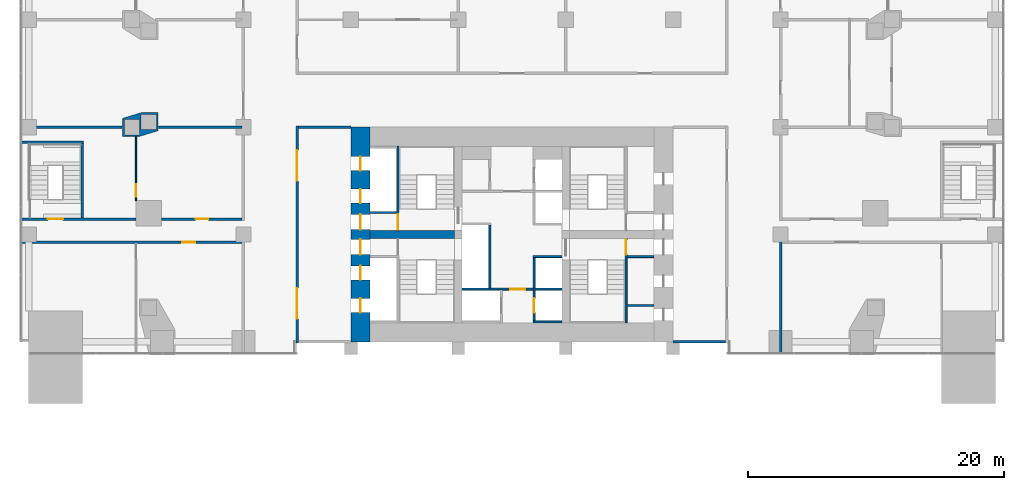
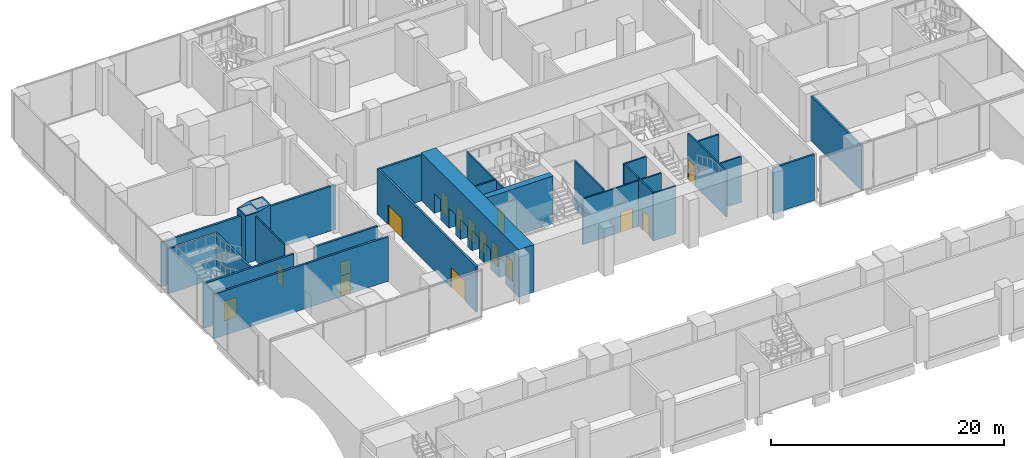
# One storey, part 17 of 28: 26 walls, 16 doors, 16 openings.
"""IFC4 building model written with IfcOpenShell, lengths in metres."""

import ifcopenshell
import ifcopenshell.guid

model = None  # the IFC model being written
_history = None  # IfcOwnerHistory: only IFC2X3 demands one
_inside = {}  # id of a spatial element -> (the spatial element, [elements in it])
_under = {}  # id of a project, library or spatial element -> (it, [spatial elements below it])
_declared = {}  # id of a project -> (the project, [libraries it declares])
_typed = {}  # id of a type object -> (the type object, [elements of that type])
_made_of = {}  # id of a material, layer set ... -> (it, [elements and type objects made of it])


def new_model(schema):
    """Start an empty IFC model of exactly this schema.

    Asked for "IFC4X3", IfcOpenShell would pick the latest addendum, in which some entities
    have other attributes; the version numbers below select the first issue.
    IFC2X3 requires an IfcOwnerHistory on every rooted entity: one is made here for all.
    """
    global model, _history
    if schema == "IFC4X3":
        model = ifcopenshell.file(schema_version=(4, 3, 0, 0))
    else:
        model = ifcopenshell.file(schema=schema)
    _inside.clear()
    _under.clear()
    _declared.clear()
    _typed.clear()
    _made_of.clear()
    _history = None
    if model.schema == "IFC2X3":
        org = make("IfcOrganization", Name="unknown")
        user = make(
            "IfcPersonAndOrganization",
            ThePerson=make("IfcPerson", FamilyName="unknown"),
            TheOrganization=org,
        )
        app = make(
            "IfcApplication",
            ApplicationDeveloper=org,
            Version="unknown",
            ApplicationFullName="unknown",
            ApplicationIdentifier="unknown",
        )
        _history = make(
            "IfcOwnerHistory",
            OwningUser=user,
            OwningApplication=app,
            ChangeAction="ADDED",
            CreationDate=0,
        )
    return model


def make(cls, **values):
    """One entity of the class cls with the attributes given. An attribute that is None is left unset."""
    return model.create_entity(
        cls, **{name: value for name, value in values.items() if value is not None}
    )


def rooted(cls, **values):
    """An entity with a GlobalId (a new one), such as an element, a storey or a relation."""
    return make(cls, GlobalId=ifcopenshell.guid.new(), OwnerHistory=_history, **values)


def si_unit(unit_type, name, prefix=None):
    """IfcSIUnit, for example si_unit("LENGTHUNIT", "METRE", prefix="MILLI")."""
    return make("IfcSIUnit", UnitType=unit_type, Prefix=prefix, Name=name)


def assignment(units):
    """IfcUnitAssignment: the units of a project."""
    return None if units is None else make("IfcUnitAssignment", Units=units)


def point(xyz):
    """IfcCartesianPoint."""
    return None if xyz is None else make("IfcCartesianPoint", Coordinates=xyz)


def direction(xyz):
    """IfcDirection."""
    return None if xyz is None else make("IfcDirection", DirectionRatios=xyz)


def frame(location, z_axis=None, x_axis=None):
    """IfcAxis2Placement3D, a coordinate frame: its origin and axes. An axis left out is left unset."""
    return make(
        "IfcAxis2Placement3D",
        Location=point(location),
        Axis=direction(z_axis),
        RefDirection=direction(x_axis),
    )


def frame_2d(location, x_axis=None):
    """IfcAxis2Placement2D, a coordinate frame in the plane: its origin and x axis."""
    return make(
        "IfcAxis2Placement2D", Location=point(location), RefDirection=direction(x_axis)
    )


def origin():
    """The frame at (0, 0, 0) with its axes left unset."""
    return frame((0.0, 0.0, 0.0))


def place(relative_to, where):
    """IfcLocalPlacement: puts the frame where relative to a parent placement (None: the world)."""
    return make(
        "IfcLocalPlacement", PlacementRelTo=relative_to, RelativePlacement=where
    )


def context(
    kind, dimensions, precision=None, world=None, true_north=None, identifier=None
):
    """IfcGeometricRepresentationContext, for example the 3D "Model" context."""
    return make(
        "IfcGeometricRepresentationContext",
        ContextIdentifier=identifier,
        ContextType=kind,
        CoordinateSpaceDimension=dimensions,
        Precision=precision,
        WorldCoordinateSystem=world,
        TrueNorth=true_north,
    )


def subcontext(parent, identifier, kind, view, scale=None):
    """IfcGeometricRepresentationSubContext, for example "Body" below "Model"."""
    return make(
        "IfcGeometricRepresentationSubContext",
        ContextIdentifier=identifier,
        ContextType=kind,
        ParentContext=parent,
        TargetScale=scale,
        TargetView=view,
    )


def project(units=None, contexts=None):
    """IfcProject with its units and contexts."""
    return rooted(
        "IfcProject",
        Name="project",
        RepresentationContexts=contexts,
        UnitsInContext=assignment(units),
    )


def spatial(cls, under=None, at=None, **own):
    """A site, building, storey or space (cls), placed at a placement, below another one or the project."""
    s = rooted(cls, ObjectPlacement=at, **own)
    if under is not None:
        _under.setdefault(under.id(), (under, []))[1].append(s)
    return s


def polyline(points):
    """IfcPolyline through the points."""
    return make("IfcPolyline", Points=[point(p) for p in points])


def profile(cls, at=None, kind="AREA", **sizes):
    """A parametric profile (cls). Its sizes go by their IFC names, for example OverallWidth=200.0."""
    return make(cls, ProfileType=kind, Position=at, **sizes)


def rectangle(**sizes):
    """IfcRectangleProfileDef."""
    return profile("IfcRectangleProfileDef", **sizes)


def outline(outer, holes=None, kind="AREA"):
    """IfcArbitraryClosedProfileDef: a profile drawn as a closed curve; with holes, ...WithVoids."""
    if holes is None:
        return make("IfcArbitraryClosedProfileDef", ProfileType=kind, OuterCurve=outer)
    return make(
        "IfcArbitraryProfileDefWithVoids",
        ProfileType=kind,
        OuterCurve=outer,
        InnerCurves=holes,
    )


def extrude(swept, where, along, depth):
    """IfcExtrudedAreaSolid: the profile swept, set in the frame where, extruded along a direction by depth."""
    return make(
        "IfcExtrudedAreaSolid",
        SweptArea=swept,
        Position=where,
        ExtrudedDirection=direction(along),
        Depth=depth,
    )


def shape(context_of_items, identifier, shape_type, items):
    """IfcShapeRepresentation: the items that make up one representation, for example the "Body"."""
    return make(
        "IfcShapeRepresentation",
        ContextOfItems=context_of_items,
        RepresentationIdentifier=identifier,
        RepresentationType=shape_type,
        Items=items,
    )


def material(Name=None, Category=None):
    """IfcMaterial."""
    return make("IfcMaterial", Name=Name, Category=Category)


def layer(
    of_material, thickness, ventilated=None, Name=None, Category=None, Priority=None
):
    """IfcMaterialLayer: one layer of a wall or slab, of a material (None: an air gap)."""
    return make(
        "IfcMaterialLayer",
        Material=of_material,
        LayerThickness=thickness,
        IsVentilated=ventilated,
        Name=Name,
        Category=Category,
        Priority=Priority,
    )


def layer_set(layers, Name=None):
    """IfcMaterialLayerSet."""
    return make("IfcMaterialLayerSet", MaterialLayers=layers, LayerSetName=Name)


def made_of(thing, what):
    """Note that an element or type object is made of a material, layer set ...; save() writes the relation."""
    if what is not None:
        _made_of.setdefault(what.id(), (what, []))[1].append(thing)
    return thing


def type_object(cls, material=None, **own):
    """A type object (cls), such as IfcWallType, which elements share."""
    return made_of(rooted(cls, **own), material)


def element(
    cls,
    number,
    at=None,
    inside=None,
    cuts=None,
    type_object=None,
    material=None,
    context=None,
    identifier="Body",
    shape_type=None,
    held_by="IfcProductDefinitionShape",
    body=None,
    shapes=None,
    **own,
):
    """One element of the class cls, such as IfcWall. Its Tag is "e" and its number.

    at: its placement. inside: the storey or other place that contains it. cuts: it is an
    opening in that element (IfcRelVoidsElement). A single representation is given by context,
    identifier, shape_type and body (its items); several are given by shapes. held_by: the class
    of the entity that holds the representations. save() writes the other relations.
    """
    e = rooted(cls, Tag="e%d" % number, ObjectPlacement=at, **own)
    if body is not None:
        shapes = [shape(context, identifier, shape_type, body)]
    if shapes is not None:
        e.Representation = make(held_by, Representations=shapes)
    if inside is not None:
        _inside.setdefault(inside.id(), (inside, []))[1].append(e)
    if cuts is not None:
        rooted(
            "IfcRelVoidsElement", RelatingBuildingElement=cuts, RelatedOpeningElement=e
        )
    if type_object is not None:
        _typed.setdefault(type_object.id(), (type_object, []))[1].append(e)
    return made_of(e, material)


def fill(opening, filler):
    """IfcRelFillsElement: the door or window that sits in an opening."""
    return rooted(
        "IfcRelFillsElement",
        RelatingOpeningElement=opening,
        RelatedBuildingElement=filler,
    )


def aggregate(whole, parts):
    """IfcRelAggregates: a whole, such as a stair, and the parts it consists of."""
    return rooted("IfcRelAggregates", RelatingObject=whole, RelatedObjects=parts)


def save(model, path):
    """Write the relations noted so far, then the file.

    IfcRelAggregates (storeys below a building ...), IfcRelContainedInSpatialStructure (elements
    in a storey), IfcRelDefinesByType, IfcRelAssociatesMaterial and IfcRelDeclares: one each for
    every whole, place, type object, material and project.
    """
    for whole, parts in _under.values():
        aggregate(whole, parts)
    for where, things in _inside.values():
        rooted(
            "IfcRelContainedInSpatialStructure",
            RelatedElements=things,
            RelatingStructure=where,
        )
    for kind, things in _typed.values():
        rooted("IfcRelDefinesByType", RelatedObjects=things, RelatingType=kind)
    for what, things in _made_of.values():
        rooted("IfcRelAssociatesMaterial", RelatedObjects=things, RelatingMaterial=what)
    for by, libraries in _declared.values():
        rooted("IfcRelDeclares", RelatingContext=by, RelatedDefinitions=libraries)
    model.write(path)


model = new_model("IFC4")

# Units and contexts
model_context = context("Model", 3, precision=1e-05, world=origin(), true_north=direction((0.0, 1.0)))
body_context = subcontext(model_context, "Body", "Model", "MODEL_VIEW")
ifc_project = project(units=[si_unit("LENGTHUNIT", "METRE"), si_unit("AREAUNIT", "SQUARE_METRE"), si_unit("VOLUMEUNIT", "CUBIC_METRE"), si_unit("PLANEANGLEUNIT", "RADIAN"), si_unit("MASSUNIT", "GRAM", prefix="KILO")], contexts=[model_context])

# Site, building, storey
site_placement = place(None, origin())
site = spatial("IfcSite", under=ifc_project, at=site_placement, CompositionType="ELEMENT")
building_placement = place(site_placement, origin())
building = spatial("IfcBuilding", under=site, at=building_placement, Name="Marenta Gate Hotel Tower", CompositionType="ELEMENT")
storey_placement = place(building_placement, frame((0.0, 0.0, 26.0)))
storey = spatial("IfcBuildingStorey", under=building, at=storey_placement, Name="L04", CompositionType="ELEMENT", Elevation=26.0)

# Wall, openings, doors
ifc_material_1 = material(Name="Concrete blockwork", Category="masonry")
ifc_layer_1 = layer(ifc_material_1, 0.199951171875)
ifc_layer_set_1 = layer_set([ifc_layer_1], Name="Concrete blockwork")
wall_type_1 = type_object("IfcWallType", Name="Core boundary wall 200 REI 180", PredefinedType="PARTITIONING", material=ifc_layer_set_1)
wall_1_placement = place(storey_placement, frame((-16.800048828125, -0.10009765625, 0.0), z_axis=(0.0, 0.0, 1.0), x_axis=(0.0, 1.0, 0.0)))
wall_1 = element("IfcWall", 1, at=wall_1_placement, inside=storey, type_object=wall_type_1, Name="L04-CP-BW-W", PredefinedType="PARTITIONING", context=body_context, shape_type="SweptSolid", body=[
    extrude(rectangle(XDim=17.0, YDim=0.199951171875, at=frame_2d((8.5, 0.0))), origin(), (0.0, 0.0, 1.0), 4.800048828125),
])
opening_1_placement = place(wall_1_placement, frame((1.89990234375, 0.0, 0.0)))
opening_1 = element("IfcOpeningElement", 2, at=opening_1_placement, cuts=wall_1, Name="Opening ED-Wa-A", PredefinedType="OPENING", context=body_context, shape_type="SweptSolid", body=[
    extrude(rectangle(XDim=2.39990234375, YDim=2.10009765625, at=frame_2d((1.199951171875, 1.050048828125))), frame((0.0, 0.10009765625, 0.0), z_axis=(0.0, -1.0, 0.0), x_axis=(1.0, 0.0, 0.0)), (0.0, 0.0, 1.0), 0.199951171875),
])
opening_2_placement = place(wall_1_placement, frame((12.699951171875, 0.0, 0.0)))
opening_2 = element("IfcOpeningElement", 3, at=opening_2_placement, cuts=wall_1, Name="Opening ED-Wb-A", PredefinedType="OPENING", context=body_context, shape_type="SweptSolid", body=[
    extrude(rectangle(XDim=2.39990234375, YDim=2.10009765625, at=frame_2d((1.199951171875, 1.050048828125))), frame((0.0, 0.10009765625, 0.0), z_axis=(0.0, -1.0, 0.0), x_axis=(1.0, 0.0, 0.0)), (0.0, 0.0, 1.0), 0.199951171875),
])
ifc_material_2 = material(Name="Steel", Category="steel")
door_type_1 = type_object("IfcDoorType", Name="Core lobby entrance door 2400x2100 EI 60", OperationType="DOUBLE_DOOR_SINGLE_SWING", PredefinedType="DOOR", material=ifc_material_2)
door_1_placement = place(opening_1_placement, origin())
door_1 = element("IfcDoor", 4, at=door_1_placement, inside=storey, type_object=door_type_1, Name="ED-Wa-A", OperationType="DOUBLE_DOOR_SINGLE_SWING", OverallHeight=2.10009765625, OverallWidth=2.39990234375, PredefinedType="DOOR", context=body_context, shape_type="SweptSolid", body=[
    extrude(rectangle(XDim=2.39990234375, YDim=2.10009765625, at=frame_2d((1.199951171875, 1.050048828125))), frame((0.0, 0.02490234375, 0.0), z_axis=(0.0, -1.0, 0.0), x_axis=(1.0, 0.0, 0.0)), (0.0, 0.0, 1.0), 0.050048828125),
])
fill(opening_1, door_1)
door_2_placement = place(opening_2_placement, origin())
door_2 = element("IfcDoor", 5, at=door_2_placement, inside=storey, type_object=door_type_1, Name="ED-Wb-A", OperationType="DOUBLE_DOOR_SINGLE_SWING", OverallHeight=2.10009765625, OverallWidth=2.39990234375, PredefinedType="DOOR", context=body_context, shape_type="SweptSolid", body=[
    extrude(rectangle(XDim=2.39990234375, YDim=2.10009765625, at=frame_2d((1.199951171875, 1.050048828125))), frame((0.0, 0.02490234375, 0.0), z_axis=(0.0, -1.0, 0.0), x_axis=(1.0, 0.0, 0.0)), (0.0, 0.0, 1.0), 0.050048828125),
])
fill(opening_2, door_2)

# Walls
for number, where, z_axis, x_axis, name in (
    (6, (-16.699951171875, 16.800048828125, 0.0), (0.0, 0.0, 1.0), (1.0, 0.0, 0.0), "L04-CP-EW-WN"),
    (7, (12.60009765625, 0.0, 0.0), (0.0, 0.0, 1.0), (1.0, 0.0, 0.0), "L04-CP-EW-ES"),
):
    element("IfcWall", number, at=place(storey_placement, frame(where, z_axis=z_axis, x_axis=x_axis)), inside=storey, type_object=wall_type_1, Name=name, PredefinedType="PARTITIONING", context=body_context, shape_type="SweptSolid", body=[
        extrude(rectangle(XDim=4.099853515625, YDim=0.199951171875, at=frame_2d((2.0498046875, 0.0))), origin(), (0.0, 0.0, 1.0), 4.800048828125),
    ])

# Wall, opening, door
ifc_material_3 = material(Name="Concrete blockwork", Category="masonry")
ifc_layer_2 = layer(ifc_material_3, 0.14990234375)
ifc_layer_set_2 = layer_set([ifc_layer_2], Name="Concrete blockwork")
wall_type_2 = type_object("IfcWallType", Name="Core lobby partition 150 REI 180", PredefinedType="PARTITIONING", material=ifc_layer_set_2)
wall_2_placement = place(storey_placement, frame((-3.89990234375, 4.125, 0.0), z_axis=(0.0, 0.0, 1.0), x_axis=(1.0, 0.0, 0.0)))
wall_2 = element("IfcWall", 8, at=wall_2_placement, inside=storey, type_object=wall_type_2, Name="L04-CP-CW-S", PredefinedType="PARTITIONING", context=body_context, shape_type="SweptSolid", body=[
    extrude(rectangle(XDim=7.7998046875, YDim=0.14990234375, at=frame_2d((3.89990234375, 0.0))), origin(), (0.0, 0.0, 1.0), 4.800048828125),
])
opening_3_placement = place(wall_2_placement, frame((3.75, 0.0, 0.0)))
opening_3 = element("IfcOpeningElement", 9, at=opening_3_placement, cuts=wall_2, Name="Opening FD-FFS", PredefinedType="OPENING", context=body_context, shape_type="SweptSolid", body=[
    extrude(rectangle(XDim=1.199951171875, YDim=2.10009765625, at=frame_2d((0.60009765625, 1.050048828125))), frame((0.0, 0.074951171875, 0.0), z_axis=(0.0, -1.0, 0.0), x_axis=(1.0, 0.0, 0.0)), (0.0, 0.0, 1.0), 0.14990234375),
])
ifc_material_4 = material(Name="Steel", Category="steel")
door_type_2 = type_object("IfcDoorType", Name="Core lobby door 1200x2100 FD60", OperationType="SINGLE_SWING_LEFT", PredefinedType="DOOR", material=ifc_material_4)
door_3_placement = place(opening_3_placement, origin())
door_3 = element("IfcDoor", 10, at=door_3_placement, inside=storey, type_object=door_type_2, Name="FD-FFS", OperationType="SINGLE_SWING_LEFT", OverallHeight=2.10009765625, OverallWidth=1.199951171875, PredefinedType="DOOR", context=body_context, shape_type="SweptSolid", body=[
    extrude(rectangle(XDim=1.199951171875, YDim=2.10009765625, at=frame_2d((0.60009765625, 1.050048828125))), frame((0.0, 0.02490234375, 0.0), z_axis=(0.0, -1.0, 0.0), x_axis=(1.0, 0.0, 0.0)), (0.0, 0.0, 1.0), 0.050048828125),
])
fill(opening_3, door_3)

# Walls
ifc_material_5 = material(Name="Concrete blockwork", Category="masonry")
ifc_layer_3 = layer(ifc_material_5, 0.14990234375)
ifc_layer_set_3 = layer_set([ifc_layer_3], Name="Concrete blockwork")
wall_type_3 = type_object("IfcWallType", Name="Core room partition 150 REI 180", PredefinedType="PARTITIONING", material=ifc_layer_set_3)
for number, where, z_axis, x_axis, name in (
    (11, (9.0, 6.675048828125, 0.0), (0.0, 0.0, 1.0), (1.0, 0.0, 0.0), "L04-CP-SW-ES-2"),
    (12, (9.0, 2.85009765625, 0.0), (0.0, 0.0, 1.0), (1.0, 0.0, 0.0), "L04-CP-RW-ES-1"),
):
    element("IfcWall", number, at=place(storey_placement, frame(where, z_axis=z_axis, x_axis=x_axis)), inside=storey, type_object=wall_type_3, Name=name, PredefinedType="PARTITIONING", context=body_context, shape_type="SweptSolid", body=[
        extrude(rectangle(XDim=2.10009765625, YDim=0.14990234375, at=frame_2d((1.050048828125, 0.0))), origin(), (0.0, 0.0, 1.0), 4.800048828125),
    ])
ifc_material_6 = material(Name="Concrete C40", Category="concrete")
ifc_layer_4 = layer(ifc_material_6, 0.14990234375)
ifc_layer_set_4 = layer_set([ifc_layer_4], Name="Concrete C40")
wall_type_4 = type_object("IfcWallType", Name="Core shaft wall 150 REI 180", PredefinedType="SHEAR", material=ifc_layer_set_4)
wall_3_placement = place(storey_placement, frame((-11.10009765625, 10.125, 0.0), z_axis=(0.0, 0.0, 1.0), x_axis=(1.0, 0.0, 0.0)))
element("IfcWall", 13, at=wall_3_placement, inside=storey, type_object=wall_type_4, Name="L04-SHF-SW-WN-2", PredefinedType="SHEAR", context=body_context, shape_type="SweptSolid", body=[
    extrude(rectangle(XDim=2.10009765625, YDim=0.14990234375, at=frame_2d((1.050048828125, 0.0))), origin(), (0.0, 0.0, 1.0), 5.0),
])
wall_4_placement = place(storey_placement, frame((-1.72509765625, 4.199951171875, 0.0), z_axis=(0.0, 0.0, 1.0), x_axis=(0.0, 1.0, 0.0)))
element("IfcWall", 14, at=wall_4_placement, inside=storey, type_object=wall_type_4, Name="L04-SHF-CW-W-front", PredefinedType="SHEAR", context=body_context, shape_type="SweptSolid", body=[
    extrude(rectangle(XDim=4.949951171875, YDim=0.14990234375, at=frame_2d((2.47509765625, 0.0))), origin(), (0.0, 0.0, 1.0), 5.0),
])

# Wall, opening, door
wall_5_placement = place(storey_placement, frame((1.72509765625, 1.64990234375, 0.0), z_axis=(0.0, 0.0, 1.0), x_axis=(0.0, 1.0, 0.0)))
wall_5 = element("IfcWall", 15, at=wall_5_placement, inside=storey, type_object=wall_type_4, Name="L04-SHF-CE-S-ls", PredefinedType="SHEAR", context=body_context, shape_type="SweptSolid", body=[
    extrude(rectangle(XDim=2.400146484375, YDim=0.14990234375, at=frame_2d((1.2001953125, 0.0))), origin(), (0.0, 0.0, 1.0), 5.0),
])
opening_4_placement = place(wall_5_placement, frame((0.64990234375, 0.0, 0.0)))
opening_4 = element("IfcOpeningElement", 16, at=opening_4_placement, cuts=wall_5, Name="Opening LD-SV1", PredefinedType="OPENING", context=body_context, shape_type="SweptSolid", body=[
    extrude(rectangle(XDim=1.10009765625, YDim=2.10009765625, at=frame_2d((0.550048828125, 1.050048828125))), frame((0.0, 0.074951171875, 0.0), z_axis=(0.0, -1.0, 0.0), x_axis=(1.0, 0.0, 0.0)), (0.0, 0.0, 1.0), 0.14990234375),
])
ifc_material_7 = material(Name="Steel", Category="steel")
door_type_3 = type_object("IfcDoorType", Name="Core lift landing door 1100x2100 E 60", OperationType="SLIDING_TO_LEFT", PredefinedType="DOOR", material=ifc_material_7)
door_4_placement = place(opening_4_placement, origin())
door_4 = element("IfcDoor", 17, at=door_4_placement, inside=storey, type_object=door_type_3, Name="LD-SV1", OperationType="SLIDING_TO_LEFT", OverallHeight=2.10009765625, OverallWidth=1.10009765625, PredefinedType="DOOR", context=body_context, shape_type="SweptSolid", body=[
    extrude(rectangle(XDim=1.10009765625, YDim=2.10009765625, at=frame_2d((0.550048828125, 1.050048828125))), frame((0.0, 0.02490234375, 0.0), z_axis=(0.0, -1.0, 0.0), x_axis=(1.0, 0.0, 0.0)), (0.0, 0.0, 1.0), 0.050048828125),
])
fill(opening_4, door_4)

# Walls
for number, where, z_axis, x_axis, name in (
    (18, (1.64990234375, 1.574951171875, 0.0), (0.0, 0.0, 1.0), (1.0, 0.0, 0.0), "L04-SHF-CE-S-bot"),
    (19, (1.64990234375, 6.675048828125, 0.0), (0.0, 0.0, 1.0), (1.0, 0.0, 0.0), "L04-SHF-CE-sep1"),
):
    element("IfcWall", number, at=place(storey_placement, frame(where, z_axis=z_axis, x_axis=x_axis)), inside=storey, type_object=wall_type_4, Name=name, PredefinedType="SHEAR", context=body_context, shape_type="SweptSolid", body=[
        extrude(rectangle(XDim=2.25, YDim=0.14990234375, at=frame_2d((1.125, 0.0))), origin(), (0.0, 0.0, 1.0), 5.0),
    ])
wall_6_placement = place(storey_placement, frame((1.72509765625, 4.199951171875, 0.0), z_axis=(0.0, 0.0, 1.0), x_axis=(0.0, 1.0, 0.0)))
element("IfcWall", 20, at=wall_6_placement, inside=storey, type_object=wall_type_4, Name="L04-SHF-CE-front-1", PredefinedType="SHEAR", context=body_context, shape_type="SweptSolid", body=[
    extrude(rectangle(XDim=2.400146484375, YDim=0.14990234375, at=frame_2d((1.2001953125, 0.0))), origin(), (0.0, 0.0, 1.0), 5.0),
])

# Wall, opening, door
ifc_material_8 = material(Name="Concrete C40", Category="concrete")
ifc_layer_5 = layer(ifc_material_8, 0.14990234375)
ifc_layer_set_5 = layer_set([ifc_layer_5], Name="Concrete C40")
wall_type_5 = type_object("IfcWallType", Name="Core stair enclosure wall 150 REI 180", PredefinedType="SHEAR", material=ifc_layer_set_5)
wall_7_placement = place(storey_placement, frame((-8.925048828125, 8.699951171875, 0.0), z_axis=(0.0, 0.0, 1.0), x_axis=(0.0, 1.0, 0.0)))
wall_7 = element("IfcWall", 21, at=wall_7_placement, inside=storey, type_object=wall_type_5, Name="L04-SHF-SW-WN-3", PredefinedType="SHEAR", context=body_context, shape_type="SweptSolid", body=[
    extrude(rectangle(XDim=6.60009765625, YDim=0.14990234375, at=frame_2d((3.300048828125, 0.0))), origin(), (0.0, 0.0, 1.0), 4.800048828125),
])
opening_5_placement = place(wall_7_placement, frame((0.074951171875, 0.0, 0.0)))
opening_5 = element("IfcOpeningElement", 22, at=opening_5_placement, cuts=wall_7, Name="Opening SD-WN", PredefinedType="OPENING", context=body_context, shape_type="SweptSolid", body=[
    extrude(rectangle(XDim=1.199951171875, YDim=2.10009765625, at=frame_2d((0.60009765625, 1.050048828125))), frame((0.0, 0.074951171875, 0.0), z_axis=(0.0, -1.0, 0.0), x_axis=(1.0, 0.0, 0.0)), (0.0, 0.0, 1.0), 0.14990234375),
])
ifc_material_9 = material(Name="Steel", Category="steel")
door_type_4 = type_object("IfcDoorType", Name="Core stair door 1200x2100 FD60", OperationType="SINGLE_SWING_LEFT", PredefinedType="DOOR", material=ifc_material_9)
door_5_placement = place(opening_5_placement, origin())
door_5 = element("IfcDoor", 23, at=door_5_placement, inside=storey, type_object=door_type_4, Name="SD-WN", OperationType="SINGLE_SWING_LEFT", OverallHeight=2.10009765625, OverallWidth=1.199951171875, PredefinedType="DOOR", context=body_context, shape_type="SweptSolid", body=[
    extrude(rectangle(XDim=1.199951171875, YDim=2.10009765625, at=frame_2d((0.60009765625, 1.050048828125))), frame((0.0, 0.02490234375, 0.0), z_axis=(0.0, -1.0, 0.0), x_axis=(1.0, 0.0, 0.0)), (0.0, 0.0, 1.0), 0.050048828125),
])
fill(opening_5, door_5)

wall_8_placement = place(storey_placement, frame((8.925048828125, 1.5, 0.0), z_axis=(0.0, 0.0, 1.0), x_axis=(0.0, 1.0, 0.0)))
wall_8 = element("IfcWall", 24, at=wall_8_placement, inside=storey, type_object=wall_type_5, Name="L04-SHF-SW-ES-3", PredefinedType="SHEAR", context=body_context, shape_type="SweptSolid", body=[
    extrude(rectangle(XDim=6.60009765625, YDim=0.14990234375, at=frame_2d((3.300048828125, 0.0))), origin(), (0.0, 0.0, 1.0), 4.800048828125),
])
opening_6_placement = place(wall_8_placement, frame((5.324951171875, 0.0, 0.0)))
opening_6 = element("IfcOpeningElement", 25, at=opening_6_placement, cuts=wall_8, Name="Opening SD-ES", PredefinedType="OPENING", context=body_context, shape_type="SweptSolid", body=[
    extrude(rectangle(XDim=1.199951171875, YDim=2.10009765625, at=frame_2d((0.60009765625, 1.050048828125))), frame((0.0, 0.074951171875, 0.0), z_axis=(0.0, -1.0, 0.0), x_axis=(1.0, 0.0, 0.0)), (0.0, 0.0, 1.0), 0.14990234375),
])
door_6_placement = place(opening_6_placement, origin())
door_6 = element("IfcDoor", 26, at=door_6_placement, inside=storey, type_object=door_type_4, Name="SD-ES", OperationType="SINGLE_SWING_LEFT", OverallHeight=2.10009765625, OverallWidth=1.199951171875, PredefinedType="DOOR", context=body_context, shape_type="SweptSolid", body=[
    extrude(rectangle(XDim=1.199951171875, YDim=2.10009765625, at=frame_2d((0.60009765625, 1.050048828125))), frame((0.0, 0.02490234375, 0.0), z_axis=(0.0, -1.0, 0.0), x_axis=(1.0, 0.0, 0.0)), (0.0, 0.0, 1.0), 0.050048828125),
])
fill(opening_6, door_6)

# Wall, openings, doors
ifc_material_10 = material(Name="Concrete C80", Category="concrete")
ifc_layer_6 = layer(ifc_material_10, 1.5)
ifc_layer_set_6 = layer_set([ifc_layer_6], Name="Concrete C80")
wall_type_6 = type_object("IfcWallType", Name="Core wall 1500 C80", PredefinedType="SHEAR", material=ifc_layer_set_6)
wall_9_placement = place(storey_placement, frame((-11.85009765625, 0.0, 0.0), z_axis=(0.0, 0.0, 1.0), x_axis=(0.0, 1.0, 0.0)))
wall_9 = element("IfcWall", 27, at=wall_9_placement, inside=storey, type_object=wall_type_6, Name="L04-CORE-W", PredefinedType="SHEAR", context=body_context, shape_type="SweptSolid", body=[
    extrude(rectangle(XDim=16.800048828125, YDim=1.5, at=frame_2d((8.39990234375, 0.0))), origin(), (0.0, 0.0, 1.0), 5.0),
])
opening_7_placement = place(wall_9_placement, frame((2.300048828125, 0.0, 0.0)))
opening_7 = element("IfcOpeningElement", 28, at=opening_7_placement, cuts=wall_9, Name="Opening LD-LR1", PredefinedType="OPENING", context=body_context, shape_type="SweptSolid", body=[
    extrude(rectangle(XDim=1.10009765625, YDim=2.10009765625, at=frame_2d((0.550048828125, 1.050048828125))), frame((0.0, 0.75, 0.0), z_axis=(0.0, -1.0, 0.0), x_axis=(1.0, 0.0, 0.0)), (0.0, 0.0, 1.0), 1.5),
])
opening_8_placement = place(wall_9_placement, frame((4.85009765625, 0.0, 0.0)))
opening_8 = element("IfcOpeningElement", 29, at=opening_8_placement, cuts=wall_9, Name="Opening LD-LR2", PredefinedType="OPENING", context=body_context, shape_type="SweptSolid", body=[
    extrude(rectangle(XDim=1.10009765625, YDim=2.10009765625, at=frame_2d((0.550048828125, 1.050048828125))), frame((0.0, 0.75, 0.0), z_axis=(0.0, -1.0, 0.0), x_axis=(1.0, 0.0, 0.0)), (0.0, 0.0, 1.0), 1.5),
])
opening_9_placement = place(wall_9_placement, frame((6.824951171875, 0.0, 0.0)))
opening_9 = element("IfcOpeningElement", 30, at=opening_9_placement, cuts=wall_9, Name="Opening PD-WS", PredefinedType="OPENING", context=body_context, shape_type="SweptSolid", body=[
    extrude(rectangle(XDim=1.199951171875, YDim=2.10009765625, at=frame_2d((0.60009765625, 1.050048828125))), frame((0.0, 0.75, 0.0), z_axis=(0.0, -1.0, 0.0), x_axis=(1.0, 0.0, 0.0)), (0.0, 0.0, 1.0), 1.5),
])
opening_10_placement = place(wall_9_placement, frame((13.39990234375, 0.0, 0.0)))
opening_10 = element("IfcOpeningElement", 31, at=opening_10_placement, cuts=wall_9, Name="Opening LD-LR4", PredefinedType="OPENING", context=body_context, shape_type="SweptSolid", body=[
    extrude(rectangle(XDim=1.10009765625, YDim=2.10009765625, at=frame_2d((0.550048828125, 1.050048828125))), frame((0.0, 0.75, 0.0), z_axis=(0.0, -1.0, 0.0), x_axis=(1.0, 0.0, 0.0)), (0.0, 0.0, 1.0), 1.5),
])
opening_11_placement = place(wall_9_placement, frame((10.85009765625, 0.0, 0.0)))
opening_11 = element("IfcOpeningElement", 32, at=opening_11_placement, cuts=wall_9, Name="Opening LD-LR3", PredefinedType="OPENING", context=body_context, shape_type="SweptSolid", body=[
    extrude(rectangle(XDim=1.10009765625, YDim=2.10009765625, at=frame_2d((0.550048828125, 1.050048828125))), frame((0.0, 0.75, 0.0), z_axis=(0.0, -1.0, 0.0), x_axis=(1.0, 0.0, 0.0)), (0.0, 0.0, 1.0), 1.5),
])
opening_12_placement = place(wall_9_placement, frame((8.77490234375, 0.0, 0.0)))
opening_12 = element("IfcOpeningElement", 33, at=opening_12_placement, cuts=wall_9, Name="Opening PD-WN", PredefinedType="OPENING", context=body_context, shape_type="SweptSolid", body=[
    extrude(rectangle(XDim=1.199951171875, YDim=2.10009765625, at=frame_2d((0.60009765625, 1.050048828125))), frame((0.0, 0.75, 0.0), z_axis=(0.0, -1.0, 0.0), x_axis=(1.0, 0.0, 0.0)), (0.0, 0.0, 1.0), 1.5),
])
door_7_placement = place(opening_7_placement, origin())
door_7 = element("IfcDoor", 34, at=door_7_placement, inside=storey, type_object=door_type_3, Name="LD-LR1", OperationType="SLIDING_TO_LEFT", OverallHeight=2.10009765625, OverallWidth=1.10009765625, PredefinedType="DOOR", context=body_context, shape_type="SweptSolid", body=[
    extrude(rectangle(XDim=1.10009765625, YDim=2.10009765625, at=frame_2d((0.550048828125, 1.050048828125))), frame((0.0, 0.02490234375, 0.0), z_axis=(0.0, -1.0, 0.0), x_axis=(1.0, 0.0, 0.0)), (0.0, 0.0, 1.0), 0.050048828125),
])
fill(opening_7, door_7)
door_8_placement = place(opening_8_placement, origin())
door_8 = element("IfcDoor", 35, at=door_8_placement, inside=storey, type_object=door_type_3, Name="LD-LR2", OperationType="SLIDING_TO_LEFT", OverallHeight=2.10009765625, OverallWidth=1.10009765625, PredefinedType="DOOR", context=body_context, shape_type="SweptSolid", body=[
    extrude(rectangle(XDim=1.10009765625, YDim=2.10009765625, at=frame_2d((0.550048828125, 1.050048828125))), frame((0.0, 0.02490234375, 0.0), z_axis=(0.0, -1.0, 0.0), x_axis=(1.0, 0.0, 0.0)), (0.0, 0.0, 1.0), 0.050048828125),
])
fill(opening_8, door_8)
door_9_placement = place(opening_10_placement, origin())
door_9 = element("IfcDoor", 36, at=door_9_placement, inside=storey, type_object=door_type_3, Name="LD-LR4", OperationType="SLIDING_TO_LEFT", OverallHeight=2.10009765625, OverallWidth=1.10009765625, PredefinedType="DOOR", context=body_context, shape_type="SweptSolid", body=[
    extrude(rectangle(XDim=1.10009765625, YDim=2.10009765625, at=frame_2d((0.550048828125, 1.050048828125))), frame((0.0, 0.02490234375, 0.0), z_axis=(0.0, -1.0, 0.0), x_axis=(1.0, 0.0, 0.0)), (0.0, 0.0, 1.0), 0.050048828125),
])
fill(opening_10, door_9)
door_10_placement = place(opening_11_placement, origin())
door_10 = element("IfcDoor", 37, at=door_10_placement, inside=storey, type_object=door_type_3, Name="LD-LR3", OperationType="SLIDING_TO_LEFT", OverallHeight=2.10009765625, OverallWidth=1.10009765625, PredefinedType="DOOR", context=body_context, shape_type="SweptSolid", body=[
    extrude(rectangle(XDim=1.10009765625, YDim=2.10009765625, at=frame_2d((0.550048828125, 1.050048828125))), frame((0.0, 0.02490234375, 0.0), z_axis=(0.0, -1.0, 0.0), x_axis=(1.0, 0.0, 0.0)), (0.0, 0.0, 1.0), 0.050048828125),
])
fill(opening_11, door_10)
door_11_placement = place(opening_9_placement, origin())
door_11 = element("IfcDoor", 38, at=door_11_placement, inside=storey, type_object=door_type_2, Name="PD-WS", OperationType="SINGLE_SWING_LEFT", OverallHeight=2.10009765625, OverallWidth=1.199951171875, PredefinedType="DOOR", context=body_context, shape_type="SweptSolid", body=[
    extrude(rectangle(XDim=1.199951171875, YDim=2.10009765625, at=frame_2d((0.60009765625, 1.050048828125))), frame((0.0, 0.02490234375, 0.0), z_axis=(0.0, -1.0, 0.0), x_axis=(1.0, 0.0, 0.0)), (0.0, 0.0, 1.0), 0.050048828125),
])
fill(opening_9, door_11)
door_12_placement = place(opening_12_placement, origin())
door_12 = element("IfcDoor", 39, at=door_12_placement, inside=storey, type_object=door_type_2, Name="PD-WN", OperationType="SINGLE_SWING_LEFT", OverallHeight=2.10009765625, OverallWidth=1.199951171875, PredefinedType="DOOR", context=body_context, shape_type="SweptSolid", body=[
    extrude(rectangle(XDim=1.199951171875, YDim=2.10009765625, at=frame_2d((0.60009765625, 1.050048828125))), frame((0.0, 0.02490234375, 0.0), z_axis=(0.0, -1.0, 0.0), x_axis=(1.0, 0.0, 0.0)), (0.0, 0.0, 1.0), 0.050048828125),
])
fill(opening_12, door_12)

# Walls
ifc_material_11 = material(Name="Concrete C80", Category="concrete")
ifc_layer_7 = layer(ifc_material_11, 0.60009765625)
ifc_layer_set_7 = layer_set([ifc_layer_7], Name="Concrete C80")
wall_type_7 = type_object("IfcWallType", Name="Core web 600 C80", PredefinedType="SHEAR", material=ifc_layer_set_7)
wall_10_placement = place(storey_placement, frame((-11.10009765625, 8.39990234375, 0.0), z_axis=(0.0, 0.0, 1.0), x_axis=(1.0, 0.0, 0.0)))
element("IfcWall", 40, at=wall_10_placement, inside=storey, type_object=wall_type_7, Name="L04-CORE-W3", PredefinedType="SHEAR", context=body_context, shape_type="SweptSolid", body=[
    extrude(rectangle(XDim=6.60009765625, YDim=0.60009765625, at=frame_2d((3.300048828125, 0.0))), origin(), (0.0, 0.0, 1.0), 5.0),
])
ifc_material_12 = material(Name="Concrete C70", Category="concrete")
ifc_layer_8 = layer(ifc_material_12, 1.60009765625)
ifc_layer_set_8 = layer_set([ifc_layer_8], Name="Concrete C70")
wall_type_8 = type_object("IfcWallType", Name="Pier wall board-marked concrete C70", PredefinedType="SOLIDWALL", material=ifc_layer_set_8)
wall_11_placement = place(storey_placement, origin())
element("IfcWall", 41, at=wall_11_placement, inside=storey, type_object=wall_type_8, Name="L04-PIER-2", PredefinedType="SOLIDWALL", context=body_context, shape_type="SweptSolid", body=[
    extrude(outline(polyline([(-30.43994140625, 17.48876953125), (-29.017822265625, 17.923095703125), (-27.679931640625, 17.923095703125), (-27.679931640625, 16.514404296875), (-29.10205078125, 16.080078125), (-30.43994140625, 16.080078125), (-30.43994140625, 17.48876953125)]), holes=[polyline([(-29.0, 16.603271484375), (-27.800048828125, 16.603271484375), (-27.800048828125, 17.80322265625), (-29.0, 17.80322265625), (-29.0, 16.603271484375)]), polyline([(-30.320068359375, 16.199951171875), (-29.1201171875, 16.199951171875), (-29.1201171875, 17.39990234375), (-30.320068359375, 17.39990234375), (-30.320068359375, 16.199951171875)])]), origin(), (0.0, 0.0, 1.0), 5.0),
])
ifc_material_13 = material(Name="Gypsum board on steel stud", Category="steel")
ifc_layer_9 = layer(ifc_material_13, 0.199951171875)
ifc_layer_set_9 = layer_set([ifc_layer_9], Name="Gypsum board on steel stud")
wall_type_9 = type_object("IfcWallType", Name="Room corridor wall 200 EI 60", PredefinedType="PARTITIONING", material=ifc_layer_set_9)
wall_12_placement = place(storey_placement, frame((21.0, -0.884033203125, 0.0), z_axis=(0.0, 0.0, 1.0), x_axis=(0.0, 1.0, 0.0)))
element("IfcWall", 42, at=wall_12_placement, inside=storey, type_object=wall_type_9, Name="L04-PTN-W012", PredefinedType="PARTITIONING", context=body_context, shape_type="SweptSolid", body=[
    extrude(rectangle(XDim=8.783935546875, YDim=0.199951171875, at=frame_2d((4.39208984375, 0.0))), origin(), (0.0, 0.0, 1.0), 4.679931640625),
])

# Wall, opening, door
ifc_material_14 = material(Name="Concrete blockwork", Category="masonry")
ifc_layer_10 = layer(ifc_material_14, 0.199951171875)
ifc_layer_set_10 = layer_set([ifc_layer_10], Name="Concrete blockwork")
wall_type_10 = type_object("IfcWallType", Name="Room corridor wall 200 REI 180", PredefinedType="PARTITIONING", material=ifc_layer_set_10)
wall_13_placement = place(storey_placement, frame((-38.384033203125, 7.800048828125, 0.0), z_axis=(0.0, 0.0, 1.0), x_axis=(1.0, 0.0, 0.0)))
wall_13 = element("IfcWall", 43, at=wall_13_placement, inside=storey, type_object=wall_type_10, Name="L04-PTN-W030", PredefinedType="PARTITIONING", context=body_context, shape_type="SweptSolid", body=[
    extrude(rectangle(XDim=17.283935546875, YDim=0.199951171875, at=frame_2d((8.64208984375, 0.0))), origin(), (0.0, 0.0, 1.0), 4.679931640625),
])
opening_13_placement = place(wall_13_placement, frame((12.60888671875, 0.0, 0.0)))
opening_13 = element("IfcOpeningElement", 44, at=opening_13_placement, cuts=wall_13, Name="Opening S05-03", PredefinedType="OPENING", context=body_context, shape_type="SweptSolid", body=[
    extrude(rectangle(XDim=1.0, YDim=2.10009765625, at=frame_2d((0.5, 1.050048828125))), frame((0.0, 0.10009765625, 0.0), z_axis=(0.0, -1.0, 0.0), x_axis=(1.0, 0.0, 0.0)), (0.0, 0.0, 1.0), 0.199951171875),
])
ifc_material_15 = material(Name="Timber door leaf", Category="wood")
door_type_5 = type_object("IfcDoorType", Name="Room amenity door 1000x2100 EI 60", OperationType="NOTDEFINED", PredefinedType="DOOR", material=ifc_material_15)
door_13_placement = place(opening_13_placement, origin())
door_13 = element("IfcDoor", 45, at=door_13_placement, inside=storey, type_object=door_type_5, Name="L04-PD-D003", OperationType="SINGLE_SWING_RIGHT", OverallHeight=2.10009765625, OverallWidth=1.0, PredefinedType="DOOR", context=body_context, shape_type="SweptSolid", body=[
    extrude(rectangle(XDim=1.0, YDim=2.10009765625, at=frame_2d((0.5, 1.050048828125))), frame((0.0, 0.02490234375, 0.0), z_axis=(0.0, -1.0, 0.0), x_axis=(1.0, 0.0, 0.0)), (0.0, 0.0, 1.0), 0.050048828125),
])
fill(opening_13, door_13)

wall_14_placement = place(storey_placement, frame((-38.384033203125, 9.60009765625, 0.0), z_axis=(0.0, 0.0, 1.0), x_axis=(1.0, 0.0, 0.0)))
wall_14 = element("IfcWall", 46, at=wall_14_placement, inside=storey, type_object=wall_type_10, Name="L04-PTN-W032", PredefinedType="PARTITIONING", context=body_context, shape_type="SweptSolid", body=[
    extrude(rectangle(XDim=8.984130859375, YDim=0.199951171875, at=frame_2d((4.4921875, 0.0))), origin(), (0.0, 0.0, 1.0), 4.679931640625),
])
opening_14_placement = place(wall_14_placement, frame((2.083984375, 0.0, 0.0)))
opening_14 = element("IfcOpeningElement", 47, at=opening_14_placement, cuts=wall_14, Name="Opening S05-34", PredefinedType="OPENING", context=body_context, shape_type="SweptSolid", body=[
    extrude(rectangle(XDim=1.199951171875, YDim=2.10009765625, at=frame_2d((0.60009765625, 1.050048828125))), frame((0.0, 0.10009765625, 0.0), z_axis=(0.0, -1.0, 0.0), x_axis=(1.0, 0.0, 0.0)), (0.0, 0.0, 1.0), 0.199951171875),
])
ifc_material_16 = material(Name="Hollow steel door set", Category="steel")
door_type_6 = type_object("IfcDoorType", Name="Podium stair door 1200x2100 EI 60", OperationType="NOTDEFINED", PredefinedType="DOOR", material=ifc_material_16)
door_14_placement = place(opening_14_placement, origin())
door_14 = element("IfcDoor", 48, at=door_14_placement, inside=storey, type_object=door_type_6, Name="L04-PD-D034", OperationType="SINGLE_SWING_RIGHT", OverallHeight=2.10009765625, OverallWidth=1.199951171875, PredefinedType="DOOR", context=body_context, shape_type="SweptSolid", body=[
    extrude(rectangle(XDim=1.199951171875, YDim=2.10009765625, at=frame_2d((0.60009765625, 1.050048828125))), frame((0.0, 0.02490234375, 0.0), z_axis=(0.0, -1.0, 0.0), x_axis=(1.0, 0.0, 0.0)), (0.0, 0.0, 1.0), 0.050048828125),
])
fill(opening_14, door_14)

wall_15_placement = place(storey_placement, frame((-27.39990234375, 9.60009765625, 0.0), z_axis=(0.0, 0.0, 1.0), x_axis=(1.0, 0.0, 0.0)))
wall_15 = element("IfcWall", 49, at=wall_15_placement, inside=storey, type_object=wall_type_10, Name="L04-PTN-W033", PredefinedType="PARTITIONING", context=body_context, shape_type="SweptSolid", body=[
    extrude(rectangle(XDim=6.2998046875, YDim=0.199951171875, at=frame_2d((3.14990234375, 0.0))), origin(), (0.0, 0.0, 1.0), 4.679931640625),
])
opening_15_placement = place(wall_15_placement, frame((2.64990234375, 0.0, 0.0)))
opening_15 = element("IfcOpeningElement", 50, at=opening_15_placement, cuts=wall_15, Name="Opening S05-04", PredefinedType="OPENING", context=body_context, shape_type="SweptSolid", body=[
    extrude(rectangle(XDim=1.0, YDim=2.10009765625, at=frame_2d((0.5, 1.050048828125))), frame((0.0, 0.10009765625, 0.0), z_axis=(0.0, -1.0, 0.0), x_axis=(1.0, 0.0, 0.0)), (0.0, 0.0, 1.0), 0.199951171875),
])
door_15_placement = place(opening_15_placement, origin())
door_15 = element("IfcDoor", 51, at=door_15_placement, inside=storey, type_object=door_type_5, Name="L04-PD-D004", OperationType="SINGLE_SWING_RIGHT", OverallHeight=2.10009765625, OverallWidth=1.0, PredefinedType="DOOR", context=body_context, shape_type="SweptSolid", body=[
    extrude(rectangle(XDim=1.0, YDim=2.10009765625, at=frame_2d((0.5, 1.050048828125))), frame((0.0, 0.02490234375, 0.0), z_axis=(0.0, -1.0, 0.0), x_axis=(1.0, 0.0, 0.0)), (0.0, 0.0, 1.0), 0.050048828125),
])
fill(opening_15, door_15)

ifc_material_17 = material(Name="Gypsum board on steel stud", Category="steel")
ifc_layer_11 = layer(ifc_material_17, 0.10009765625)
ifc_layer_set_11 = layer_set([ifc_layer_11], Name="Gypsum board on steel stud")
wall_type_11 = type_object("IfcWallType", Name="Room partition 100", PredefinedType="PARTITIONING", material=ifc_layer_set_11)
wall_16_placement = place(storey_placement, frame((-29.39990234375, 11.050048828125, 0.0), z_axis=(0.0, 0.0, 1.0), x_axis=(0.0, 1.0, 0.0)))
wall_16 = element("IfcWall", 52, at=wall_16_placement, inside=storey, type_object=wall_type_11, Name="L04-PTN-W057", PredefinedType="PARTITIONING", context=body_context, shape_type="SweptSolid", body=[
    extrude(rectangle(XDim=4.97998046875, YDim=0.10009765625, at=frame_2d((2.489990234375, 0.0))), origin(), (0.0, 0.0, 1.0), 4.679931640625),
])
opening_16_placement = place(wall_16_placement, frame((0.300048828125, 0.0, 0.0)))
opening_16 = element("IfcOpeningElement", 53, at=opening_16_placement, cuts=wall_16, Name="Opening S05-06", PredefinedType="OPENING", context=body_context, shape_type="SweptSolid", body=[
    extrude(rectangle(XDim=1.0, YDim=2.10009765625, at=frame_2d((0.5, 1.050048828125))), frame((0.0, 0.050048828125, 0.0), z_axis=(0.0, -1.0, 0.0), x_axis=(1.0, 0.0, 0.0)), (0.0, 0.0, 1.0), 0.10009765625),
])
ifc_material_18 = material(Name="Timber door leaf", Category="wood")
door_type_7 = type_object("IfcDoorType", Name="Room inner door 1000x2100", OperationType="NOTDEFINED", PredefinedType="DOOR", material=ifc_material_18)
door_16_placement = place(opening_16_placement, origin())
door_16 = element("IfcDoor", 54, at=door_16_placement, inside=storey, type_object=door_type_7, Name="L04-PD-D006", OperationType="SINGLE_SWING_LEFT", OverallHeight=2.10009765625, OverallWidth=1.0, PredefinedType="DOOR", context=body_context, shape_type="SweptSolid", body=[
    extrude(rectangle(XDim=1.0, YDim=2.10009765625, at=frame_2d((0.5, 1.050048828125))), frame((0.0, 0.02490234375, 0.0), z_axis=(0.0, -1.0, 0.0), x_axis=(1.0, 0.0, 0.0)), (0.0, 0.0, 1.0), 0.050048828125),
])
fill(opening_16, door_16)

# Walls
ifc_material_19 = material(Name="Gypsum board on steel stud", Category="steel")
ifc_layer_12 = layer(ifc_material_19, 0.199951171875)
ifc_layer_set_12 = layer_set([ifc_layer_12], Name="Gypsum board on steel stud")
wall_type_12 = type_object("IfcWallType", Name="Room party wall 200 EI 60", PredefinedType="PARTITIONING", material=ifc_layer_set_12)
wall_17_placement = place(storey_placement, frame((-38.384033203125, 16.800048828125, 0.0), z_axis=(0.0, 0.0, 1.0), x_axis=(1.0, 0.0, 0.0)))
element("IfcWall", 55, at=wall_17_placement, inside=storey, type_object=wall_type_12, Name="L04-PTN-W041", PredefinedType="PARTITIONING", context=body_context, shape_type="SweptSolid", body=[
    extrude(rectangle(XDim=7.89404296875, YDim=0.199951171875, at=frame_2d((3.947021484375, 0.0))), origin(), (0.0, 0.0, 1.0), 4.679931640625),
])
wall_18_placement = place(storey_placement, frame((-27.6298828125, 16.800048828125, 0.0), z_axis=(0.0, 0.0, 1.0), x_axis=(1.0, 0.0, 0.0)))
element("IfcWall", 56, at=wall_18_placement, inside=storey, type_object=wall_type_12, Name="L04-PTN-W042", PredefinedType="PARTITIONING", context=body_context, shape_type="SweptSolid", body=[
    extrude(rectangle(XDim=6.52978515625, YDim=0.199951171875, at=frame_2d((3.264892578125, 0.0))), origin(), (0.0, 0.0, 1.0), 4.679931640625),
])
ifc_material_20 = material(Name="Concrete blockwork", Category="masonry")
ifc_layer_13 = layer(ifc_material_20, 0.199951171875)
ifc_layer_set_13 = layer_set([ifc_layer_13], Name="Concrete blockwork")
wall_type_13 = type_object("IfcWallType", Name="Room party wall 200 REI 180", PredefinedType="PARTITIONING", material=ifc_layer_set_13)
wall_19_placement = place(storey_placement, frame((-38.384033203125, 15.60009765625, 0.0), z_axis=(0.0, 0.0, 1.0), x_axis=(1.0, 0.0, 0.0)))
element("IfcWall", 57, at=wall_19_placement, inside=storey, type_object=wall_type_13, Name="L04-PTN-W037", PredefinedType="PARTITIONING", context=body_context, shape_type="SweptSolid", body=[
    extrude(rectangle(XDim=4.884033203125, YDim=0.199951171875, at=frame_2d((2.44189453125, 0.0))), origin(), (0.0, 0.0, 1.0), 4.679931640625),
])
wall_20_placement = place(storey_placement, frame((-33.60009765625, 9.699951171875, 0.0), z_axis=(0.0, 0.0, 1.0), x_axis=(0.0, 1.0, 0.0)))
element("IfcWall", 58, at=wall_20_placement, inside=storey, type_object=wall_type_13, Name="L04-PTN-W065", PredefinedType="PARTITIONING", context=body_context, shape_type="SweptSolid", body=[
    extrude(rectangle(XDim=5.800048828125, YDim=0.199951171875, at=frame_2d((2.89990234375, 0.0))), origin(), (0.0, 0.0, 1.0), 4.679931640625),
])

save(model, "model.ifc")
